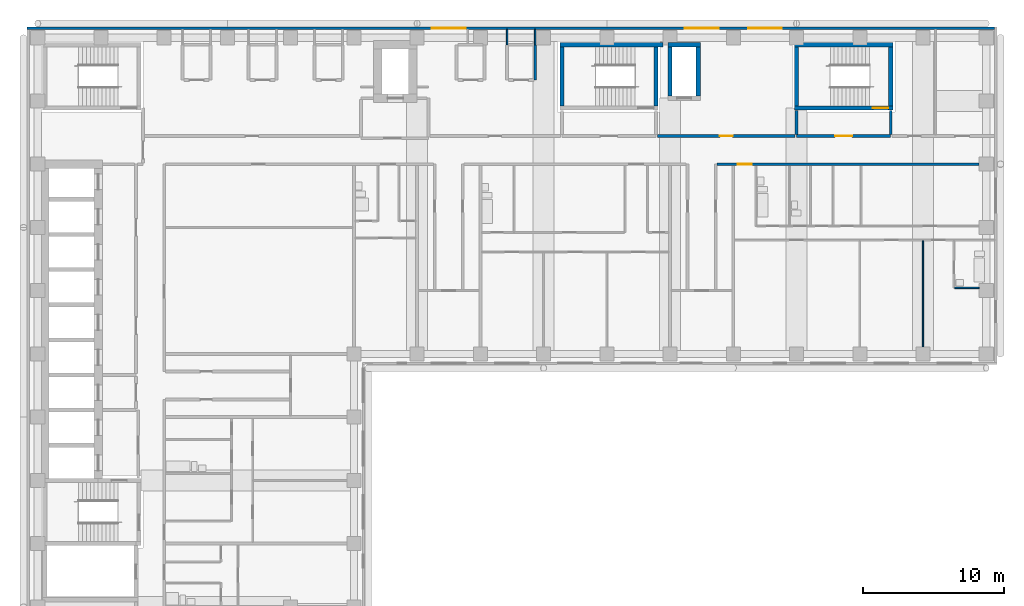
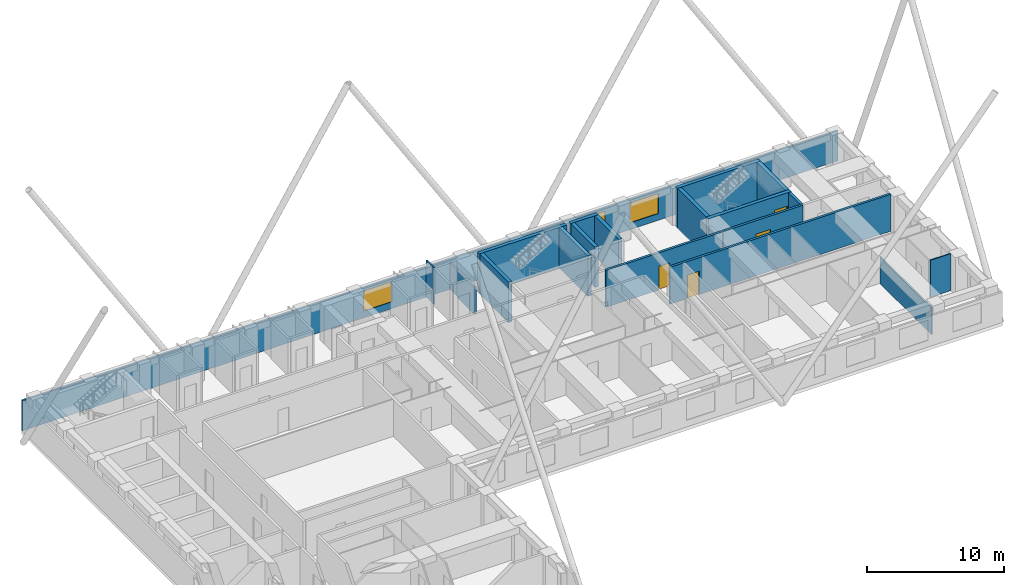
# One storey, part 9 of 13: 21 walls, 4 doors, 3 windows, 7 openings.
"""IFC4 building model written with IfcOpenShell, lengths in metres."""

from ifc_helpers import new_model, si_unit, direction, frame, frame_2d, origin, place, context, subcontext, project, spatial, rectangle, extrude, material, layer, layer_set, type_object, element, fill, save


model = new_model("IFC4")

# Units and contexts
model_context = context("Model", 3, precision=1e-05, world=origin(), true_north=direction((0.0, 1.0)))
body_context = subcontext(model_context, "Body", "Model", "MODEL_VIEW")
ifc_project = project(units=[si_unit("LENGTHUNIT", "METRE"), si_unit("AREAUNIT", "SQUARE_METRE"), si_unit("VOLUMEUNIT", "CUBIC_METRE"), si_unit("PLANEANGLEUNIT", "RADIAN"), si_unit("MASSUNIT", "GRAM", prefix="KILO")], contexts=[model_context])

# Site, building, storey
site_placement = place(None, origin())
site = spatial("IfcSite", under=ifc_project, at=site_placement, CompositionType="ELEMENT")
building_placement = place(site_placement, origin())
building = spatial("IfcBuilding", under=site, at=building_placement, Name="Firuza Court", CompositionType="ELEMENT")
storey_placement = place(building_placement, frame((0.0, 0.0, 141.199951171875)))
storey = spatial("IfcBuildingStorey", under=building, at=storey_placement, Name="L35", CompositionType="ELEMENT", Elevation=141.199951171875)

# Walls
ifc_material_1 = material(Name="Moisture-resistant gypsum board partition")
ifc_layer_1 = layer(ifc_material_1, 0.10009765625)
ifc_layer_set_1 = layer_set([ifc_layer_1], Name="Moisture-resistant gypsum board partition")
wall_type_1 = type_object("IfcWallType", Name="Bathroom partition 100", PredefinedType="PLUMBINGWALL", material=ifc_layer_set_1)
wall_1_placement = place(storey_placement, frame((65.25, 40.699951171875, 0.0), z_axis=(0.0, 0.0, 1.0), x_axis=(1.0, 0.0, 0.0)))
element("IfcWall", 1, at=wall_1_placement, inside=storey, type_object=wall_type_1, Name="Bathroom partition 100 L35", PredefinedType="PLUMBINGWALL", context=body_context, shape_type="SweptSolid", body=[
    extrude(rectangle(XDim=1.75, YDim=0.10009765625, at=frame_2d((0.875, 0.0))), origin(), (0.0, 0.0, 1.0), 3.300048828125),
])
ifc_material_2 = material(Name="Concrete C60/75", Category="concrete")
ifc_layer_2 = layer(ifc_material_2, 0.300048828125)
ifc_layer_set_2 = layer_set([ifc_layer_2], Name="Concrete C60/75")
wall_type_2 = type_object("IfcWallType", Name="Core wall 300 C60/75", PredefinedType="SHEAR", material=ifc_layer_set_2)
wall_2_placement = place(storey_placement, frame((37.14990234375, 58.0, -0.300048828125), z_axis=(0.0, 0.0, 1.0), x_axis=(1.0, 0.0, 0.0)))
element("IfcWall", 2, at=wall_2_placement, inside=storey, type_object=wall_type_2, Name="Core wall stair L35", PredefinedType="SHEAR", context=body_context, shape_type="SweptSolid", body=[
    extrude(rectangle(XDim=7.35009765625, YDim=0.300048828125, at=frame_2d((3.675048828125, 0.0))), origin(), (0.0, 0.0, 1.0), 3.60009765625),
])
for number, where, z_axis, x_axis, name in (
    (3, (37.300048828125, 53.64990234375, -0.300048828125), (0.0, 0.0, 1.0), (0.0, 1.0, 0.0), "Core wall stair L35"),
    (4, (44.0, 53.64990234375, -0.300048828125), (0.0, 0.0, 1.0), (0.0, 1.0, 0.0), "Core wall stair L35"),
):
    element("IfcWall", number, at=place(storey_placement, frame(where, z_axis=z_axis, x_axis=x_axis)), inside=storey, type_object=wall_type_2, Name=name, PredefinedType="SHEAR", context=body_context, shape_type="SweptSolid", body=[
        extrude(rectangle(XDim=4.2001953125, YDim=0.300048828125, at=frame_2d((2.10009765625, 0.0))), origin(), (0.0, 0.0, 1.0), 3.60009765625),
    ])
wall_3_placement = place(storey_placement, frame((44.85009765625, 58.0, -0.300048828125), z_axis=(0.0, 0.0, 1.0), x_axis=(1.0, 0.0, 0.0)))
element("IfcWall", 5, at=wall_3_placement, inside=storey, type_object=wall_type_2, Name="Core wall riser L35", PredefinedType="SHEAR", context=body_context, shape_type="SweptSolid", body=[
    extrude(rectangle(XDim=2.2998046875, YDim=0.300048828125, at=frame_2d((1.14990234375, 0.0))), origin(), (0.0, 0.0, 1.0), 3.60009765625),
])
for number, where, z_axis, x_axis, name in (
    (6, (45.0, 54.35009765625, -0.300048828125), (0.0, 0.0, 1.0), (0.0, 1.0, 0.0), "Core wall riser L35"),
    (7, (47.0, 54.35009765625, -0.300048828125), (0.0, 0.0, 1.0), (0.0, 1.0, 0.0), "Core wall riser L35"),
):
    element("IfcWall", number, at=place(storey_placement, frame(where, z_axis=z_axis, x_axis=x_axis)), inside=storey, type_object=wall_type_2, Name=name, PredefinedType="SHEAR", context=body_context, shape_type="SweptSolid", body=[
        extrude(rectangle(XDim=3.5, YDim=0.300048828125, at=frame_2d((1.75, 0.0))), origin(), (0.0, 0.0, 1.0), 3.60009765625),
    ])

# Wall, opening, door
wall_4_placement = place(storey_placement, frame((53.85009765625, 53.5, -0.300048828125), z_axis=(0.0, 0.0, 1.0), x_axis=(1.0, 0.0, 0.0)))
wall_4 = element("IfcWall", 8, at=wall_4_placement, inside=storey, type_object=wall_type_2, Name="Core wall stair L35", PredefinedType="SHEAR", context=body_context, shape_type="SweptSolid", body=[
    extrude(rectangle(XDim=7.0, YDim=0.300048828125, at=frame_2d((3.5, 0.0))), origin(), (0.0, 0.0, 1.0), 3.60009765625),
])
opening_1_placement = place(wall_4_placement, frame((5.580078125, 0.0, 0.300048828125)))
opening_1 = element("IfcOpeningElement", 9, at=opening_1_placement, cuts=wall_4, Name="Opening D35016", PredefinedType="OPENING", context=body_context, shape_type="SweptSolid", body=[
    extrude(rectangle(XDim=1.10009765625, YDim=2.10009765625, at=frame_2d((0.550048828125, 1.050048828125))), frame((0.0, 0.162109375, 0.0), z_axis=(0.0, -1.0, 0.0), x_axis=(1.0, 0.0, 0.0)), (0.0, 0.0, 1.0), 0.323974609375),
])
ifc_material_3 = material(Name="Timber door leaf in hardwood frame", Category="wood")
door_type_1 = type_object("IfcDoorType", Name="Stair door 1100", OperationType="SINGLE_SWING_LEFT", PredefinedType="DOOR", material=ifc_material_3)
door_1_placement = place(opening_1_placement, origin())
door_1 = element("IfcDoor", 10, at=door_1_placement, inside=storey, type_object=door_type_1, Name="Stair door S4", OperationType="SINGLE_SWING_RIGHT", OverallHeight=2.10009765625, OverallWidth=1.10009765625, PredefinedType="DOOR", context=body_context, shape_type="SweptSolid", body=[
    extrude(rectangle(XDim=1.10009765625, YDim=2.10009765625, at=frame_2d((0.550048828125, 1.050048828125))), frame((0.0, 0.02490234375, 0.0), z_axis=(0.0, -1.0, 0.0), x_axis=(1.0, 0.0, 0.0)), (0.0, 0.0, 1.0), 0.050048828125),
])
fill(opening_1, door_1)

# Walls
wall_5_placement = place(storey_placement, frame((53.85009765625, 58.0, -0.300048828125), z_axis=(0.0, 0.0, 1.0), x_axis=(1.0, 0.0, 0.0)))
element("IfcWall", 11, at=wall_5_placement, inside=storey, type_object=wall_type_2, Name="Core wall stair L35", PredefinedType="SHEAR", context=body_context, shape_type="SweptSolid", body=[
    extrude(rectangle(XDim=7.0, YDim=0.300048828125, at=frame_2d((3.5, 0.0))), origin(), (0.0, 0.0, 1.0), 3.60009765625),
])
for number, where, z_axis, x_axis, name in (
    (12, (54.0, 53.64990234375, -0.300048828125), (0.0, 0.0, 1.0), (0.0, 1.0, 0.0), "Core wall stair L35"),
    (13, (60.699951171875, 53.64990234375, -0.300048828125), (0.0, 0.0, 1.0), (0.0, 1.0, 0.0), "Core wall stair L35"),
):
    element("IfcWall", number, at=place(storey_placement, frame(where, z_axis=z_axis, x_axis=x_axis)), inside=storey, type_object=wall_type_2, Name=name, PredefinedType="SHEAR", context=body_context, shape_type="SweptSolid", body=[
        extrude(rectangle(XDim=4.2001953125, YDim=0.300048828125, at=frame_2d((2.10009765625, 0.0))), origin(), (0.0, 0.0, 1.0), 3.60009765625),
    ])

# Wall, opening, door
ifc_material_4 = material(Name="Blockwork, plastered both sides", Category="masonry")
ifc_layer_3 = layer(ifc_material_4, 0.199951171875)
ifc_layer_set_3 = layer_set([ifc_layer_3], Name="Blockwork, plastered both sides")
wall_type_3 = type_object("IfcWallType", Name="Corridor wall 200", PredefinedType="PARTITIONING", material=ifc_layer_set_3)
wall_6_placement = place(storey_placement, frame((48.35009765625, 49.5, 0.0), z_axis=(0.0, 0.0, 1.0), x_axis=(1.0, 0.0, 0.0)))
wall_6 = element("IfcWall", 14, at=wall_6_placement, inside=storey, type_object=wall_type_3, Name="Corridor wall 200 L35", PredefinedType="PARTITIONING", context=body_context, shape_type="SweptSolid", body=[
    extrude(rectangle(XDim=18.64990234375, YDim=0.199951171875, at=frame_2d((9.324951171875, 0.0))), origin(), (0.0, 0.0, 1.0), 3.300048828125),
])
opening_2_placement = place(wall_6_placement, frame((1.449951171875, 0.0, 0.0)))
opening_2 = element("IfcOpeningElement", 15, at=opening_2_placement, cuts=wall_6, Name="Opening D35066", PredefinedType="OPENING", context=body_context, shape_type="SweptSolid", body=[
    extrude(rectangle(XDim=1.0, YDim=2.10009765625, at=frame_2d((0.5, 1.050048828125))), frame((0.0, 0.11181640625, 0.0), z_axis=(0.0, -1.0, 0.0), x_axis=(1.0, 0.0, 0.0)), (0.0, 0.0, 1.0), 0.223876953125),
])
ifc_material_5 = material(Name="Timber door leaf in hardwood frame", Category="wood")
door_type_2 = type_object("IfcDoorType", Name="Flat entrance door 1000", OperationType="SINGLE_SWING_LEFT", PredefinedType="DOOR", material=ifc_material_5)
door_2_placement = place(opening_2_placement, origin())
door_2 = element("IfcDoor", 16, at=door_2_placement, inside=storey, type_object=door_type_2, Name="Flat entrance door", OperationType="SINGLE_SWING_LEFT", OverallHeight=2.10009765625, OverallWidth=1.0, PredefinedType="DOOR", context=body_context, shape_type="SweptSolid", body=[
    extrude(rectangle(XDim=1.0, YDim=2.10009765625, at=frame_2d((0.5, 1.050048828125))), frame((0.0, 0.02490234375, 0.0), z_axis=(0.0, -1.0, 0.0), x_axis=(1.0, 0.0, 0.0)), (0.0, 0.0, 1.0), 0.050048828125),
])
fill(opening_2, door_2)

wall_7_placement = place(storey_placement, frame((44.10009765625, 51.5, 0.0), z_axis=(0.0, 0.0, 1.0), x_axis=(1.0, 0.0, 0.0)))
wall_7 = element("IfcWall", 17, at=wall_7_placement, inside=storey, type_object=wall_type_3, Name="Corridor wall 200 L35", PredefinedType="PARTITIONING", context=body_context, shape_type="SweptSolid", body=[
    extrude(rectangle(XDim=9.7998046875, YDim=0.199951171875, at=frame_2d((4.89990234375, 0.0))), origin(), (0.0, 0.0, 1.0), 3.300048828125),
])
opening_3_placement = place(wall_7_placement, frame((4.449951171875, 0.0, 0.0)))
opening_3 = element("IfcOpeningElement", 18, at=opening_3_placement, cuts=wall_7, Name="Opening D35069", PredefinedType="OPENING", context=body_context, shape_type="SweptSolid", body=[
    extrude(rectangle(XDim=0.89990234375, YDim=2.10009765625, at=frame_2d((0.449951171875, 1.050048828125))), frame((0.0, 0.11181640625, 0.0), z_axis=(0.0, -1.0, 0.0), x_axis=(1.0, 0.0, 0.0)), (0.0, 0.0, 1.0), 0.223876953125),
])
ifc_material_6 = material(Name="Timber door leaf in hardwood frame", Category="wood")
door_type_3 = type_object("IfcDoorType", Name="Room door 900 EI 30", OperationType="SINGLE_SWING_LEFT", PredefinedType="DOOR", material=ifc_material_6)
door_3_placement = place(opening_3_placement, origin())
door_3 = element("IfcDoor", 19, at=door_3_placement, inside=storey, type_object=door_type_3, Name="Meeting room door", OperationType="SINGLE_SWING_LEFT", OverallHeight=2.10009765625, OverallWidth=0.89990234375, PredefinedType="DOOR", context=body_context, shape_type="SweptSolid", body=[
    extrude(rectangle(XDim=0.89990234375, YDim=2.10009765625, at=frame_2d((0.449951171875, 1.050048828125))), frame((0.0, 0.02490234375, 0.0), z_axis=(0.0, -1.0, 0.0), x_axis=(1.0, 0.0, 0.0)), (0.0, 0.0, 1.0), 0.050048828125),
])
fill(opening_3, door_3)

# Walls
ifc_material_7 = material(Name="Timber stud partition, plasterboard both sides", Category="wood")
ifc_layer_4 = layer(ifc_material_7, 0.10009765625)
ifc_layer_set_4 = layer_set([ifc_layer_4], Name="Timber stud partition, plasterboard both sides")
wall_type_4 = type_object("IfcWallType", Name="Partition wall 100", PredefinedType="PARTITIONING", material=ifc_layer_set_4)
wall_8_placement = place(storey_placement, frame((63.0, 36.5, 0.0), z_axis=(0.0, 0.0, 1.0), x_axis=(0.0, 1.0, 0.0)))
element("IfcWall", 20, at=wall_8_placement, inside=storey, type_object=wall_type_4, Name="Partition wall 100 L35", PredefinedType="PARTITIONING", context=body_context, shape_type="SweptSolid", body=[
    extrude(rectangle(XDim=7.550048828125, YDim=0.10009765625, at=frame_2d((3.77490234375, 0.0))), origin(), (0.0, 0.0, 1.0), 2.400146484375),
])
wall_9_placement = place(storey_placement, frame((33.39990234375, 58.0, 0.0), z_axis=(0.0, 0.0, 1.0), x_axis=(0.0, 1.0, 0.0)))
element("IfcWall", 21, at=wall_9_placement, inside=storey, type_object=wall_type_4, Name="Partition wall 100 L35", PredefinedType="PARTITIONING", context=body_context, shape_type="SweptSolid", body=[
    extrude(rectangle(XDim=1.10009765625, YDim=0.10009765625, at=frame_2d((0.550048828125, 0.0))), origin(), (0.0, 0.0, 1.0), 3.300048828125),
])
wall_10_placement = place(storey_placement, frame((35.39990234375, 58.0, 0.0), z_axis=(0.0, 0.0, 1.0), x_axis=(0.0, 1.0, 0.0)))
element("IfcWall", 22, at=wall_10_placement, inside=storey, type_object=wall_type_4, Name="Partition wall 100 L35", PredefinedType="PARTITIONING", context=body_context, shape_type="SweptSolid", body=[
    extrude(rectangle(XDim=1.10009765625, YDim=0.10009765625, at=frame_2d((0.550048828125, 0.0))), origin(), (0.0, 0.0, 1.0), 2.400146484375),
])
ifc_material_8 = material(Name="Blockwork, fire-rated", Category="masonry")
ifc_layer_5 = layer(ifc_material_8, 0.199951171875)
ifc_layer_set_5 = layer_set([ifc_layer_5], Name="Blockwork, fire-rated")
wall_type_5 = type_object("IfcWallType", Name="Plant room wall 200", PredefinedType="PARTITIONING", material=ifc_layer_set_5)
wall_11_placement = place(storey_placement, frame((35.39990234375, 55.5, 0.0), z_axis=(0.0, 0.0, 1.0), x_axis=(0.0, 1.0, 0.0)))
element("IfcWall", 23, at=wall_11_placement, inside=storey, type_object=wall_type_5, Name="Plant room wall 200 L35", PredefinedType="PARTITIONING", context=body_context, shape_type="SweptSolid", body=[
    extrude(rectangle(XDim=2.5, YDim=0.199951171875, at=frame_2d((1.25, 0.0))), origin(), (0.0, 0.0, 1.0), 2.400146484375),
])

# Wall, openings, windows
ifc_material_9 = material(Name="Ceramic tile", Category="ceramic")
ifc_layer_6 = layer(ifc_material_9, 0.02001953125)
ifc_material_10 = material(Name="Mineral wool insulation", Category="insulation")
ifc_layer_7 = layer(ifc_material_10, 0.050048828125)
ifc_material_11 = material(Name="Concrete C40/50 precast", Category="concrete")
ifc_layer_8 = layer(ifc_material_11, 0.080078125)
ifc_layer_set_6 = layer_set([ifc_layer_6, ifc_layer_7, ifc_layer_8], Name="Concrete C40/50 precast")
wall_type_6 = type_object("IfcWallType", Name="Precast cladding wall with turquoise TILE PANEL face 150", PredefinedType="STANDARD", material=ifc_layer_set_6)
wall_12_placement = place(storey_placement, frame((68.10009765625, 59.175048828125, 0.0), z_axis=(0.0, 0.0, 1.0), x_axis=(-1.0, 0.0, 0.0)))
wall_12 = element("IfcWall", 24, at=wall_12_placement, inside=storey, type_object=wall_type_6, Name="Facade wall L35 N", PredefinedType="STANDARD", context=body_context, shape_type="SweptSolid", body=[
    extrude(rectangle(XDim=68.85009765625, YDim=0.14990234375, at=frame_2d((34.425048828125, 0.0))), origin(), (0.0, 0.0, 1.0), 2.699951171875),
])
opening_4_placement = place(wall_12_placement, frame((15.14990234375, 0.0, 0.60009765625)))
opening_4 = element("IfcOpeningElement", 25, at=opening_4_placement, cuts=wall_12, Name="Opening W1", PredefinedType="OPENING", context=body_context, shape_type="SweptSolid", body=[
    extrude(rectangle(XDim=2.39990234375, YDim=1.800048828125, at=frame_2d((1.199951171875, 0.89990234375))), frame((0.0, 0.0869140625, 0.0), z_axis=(0.0, -1.0, 0.0), x_axis=(1.0, 0.0, 0.0)), (0.0, 0.0, 1.0), 0.173828125),
])
opening_5_placement = place(wall_12_placement, frame((19.64990234375, 0.0, 0.60009765625)))
opening_5 = element("IfcOpeningElement", 26, at=opening_5_placement, cuts=wall_12, Name="Opening W1", PredefinedType="OPENING", context=body_context, shape_type="SweptSolid", body=[
    extrude(rectangle(XDim=2.39990234375, YDim=1.800048828125, at=frame_2d((1.199951171875, 0.89990234375))), frame((0.0, 0.0869140625, 0.0), z_axis=(0.0, -1.0, 0.0), x_axis=(1.0, 0.0, 0.0)), (0.0, 0.0, 1.0), 0.173828125),
])
opening_6_placement = place(wall_12_placement, frame((37.64990234375, 0.0, 0.60009765625)))
opening_6 = element("IfcOpeningElement", 27, at=opening_6_placement, cuts=wall_12, Name="Opening W1", PredefinedType="OPENING", context=body_context, shape_type="SweptSolid", body=[
    extrude(rectangle(XDim=2.39990234375, YDim=1.800048828125, at=frame_2d((1.199951171875, 0.89990234375))), frame((0.0, 0.0869140625, 0.0), z_axis=(0.0, -1.0, 0.0), x_axis=(1.0, 0.0, 0.0)), (0.0, 0.0, 1.0), 0.173828125),
])
ifc_material_12 = material(Name="Aluminium frame, triple clear glazing", Category="aluminium")
window_type = type_object("IfcWindowType", Name="Window W1 2400 x 1800", PartitioningType="SINGLE_PANEL", PredefinedType="WINDOW", material=ifc_material_12)
window_1_placement = place(opening_4_placement, origin())
window_1 = element("IfcWindow", 28, at=window_1_placement, inside=storey, type_object=window_type, Name="Window L35", OverallHeight=1.800048828125, OverallWidth=2.39990234375, PartitioningType="SINGLE_PANEL", PredefinedType="WINDOW", context=body_context, shape_type="SweptSolid", body=[
    extrude(rectangle(XDim=2.39990234375, YDim=1.800048828125, at=frame_2d((1.199951171875, 0.89990234375))), frame((0.0, 0.030029296875, 0.0), z_axis=(0.0, -1.0, 0.0), x_axis=(1.0, 0.0, 0.0)), (0.0, 0.0, 1.0), 0.06005859375),
])
fill(opening_4, window_1)
window_2_placement = place(opening_5_placement, origin())
window_2 = element("IfcWindow", 29, at=window_2_placement, inside=storey, type_object=window_type, Name="Window L35", OverallHeight=1.800048828125, OverallWidth=2.39990234375, PartitioningType="SINGLE_PANEL", PredefinedType="WINDOW", context=body_context, shape_type="SweptSolid", body=[
    extrude(rectangle(XDim=2.39990234375, YDim=1.800048828125, at=frame_2d((1.199951171875, 0.89990234375))), frame((0.0, 0.030029296875, 0.0), z_axis=(0.0, -1.0, 0.0), x_axis=(1.0, 0.0, 0.0)), (0.0, 0.0, 1.0), 0.06005859375),
])
fill(opening_5, window_2)
window_3_placement = place(opening_6_placement, origin())
window_3 = element("IfcWindow", 30, at=window_3_placement, inside=storey, type_object=window_type, Name="Window L35", OverallHeight=1.800048828125, OverallWidth=2.39990234375, PartitioningType="SINGLE_PANEL", PredefinedType="WINDOW", context=body_context, shape_type="SweptSolid", body=[
    extrude(rectangle(XDim=2.39990234375, YDim=1.800048828125, at=frame_2d((1.199951171875, 0.89990234375))), frame((0.0, 0.030029296875, 0.0), z_axis=(0.0, -1.0, 0.0), x_axis=(1.0, 0.0, 0.0)), (0.0, 0.0, 1.0), 0.06005859375),
])
fill(opening_6, window_3)

# Wall, opening, door
ifc_layer_9 = layer(ifc_material_8, 0.199951171875)
ifc_layer_set_7 = layer_set([ifc_layer_9], Name="Blockwork, fire-rated")
wall_type_7 = type_object("IfcWallType", Name="Shaft wall 200", PredefinedType="PARTITIONING", material=ifc_layer_set_7)
wall_13_placement = place(storey_placement, frame((54.0, 51.5, 0.0), z_axis=(0.0, 0.0, 1.0), x_axis=(1.0, 0.0, 0.0)))
wall_13 = element("IfcWall", 31, at=wall_13_placement, inside=storey, type_object=wall_type_7, Name="Shaft wall 200 L35", PredefinedType="PARTITIONING", context=body_context, shape_type="SweptSolid", body=[
    extrude(rectangle(XDim=6.699951171875, YDim=0.199951171875, at=frame_2d((3.35009765625, 0.0))), origin(), (0.0, 0.0, 1.0), 3.300048828125),
])
opening_7_placement = place(wall_13_placement, frame((2.75, 0.0, 0.0)))
opening_7 = element("IfcOpeningElement", 32, at=opening_7_placement, cuts=wall_13, Name="Opening D35007", PredefinedType="OPENING", context=body_context, shape_type="SweptSolid", body=[
    extrude(rectangle(XDim=1.199951171875, YDim=2.10009765625, at=frame_2d((0.60009765625, 1.050048828125))), frame((0.0, 0.11181640625, 0.0), z_axis=(0.0, -1.0, 0.0), x_axis=(1.0, 0.0, 0.0)), (0.0, 0.0, 1.0), 0.223876953125),
])
ifc_material_13 = material(Name="Timber door leaf in hardwood frame", Category="wood")
door_type_4 = type_object("IfcDoorType", Name="Lobby door 1200", OperationType="SINGLE_SWING_LEFT", PredefinedType="DOOR", material=ifc_material_13)
door_4_placement = place(opening_7_placement, origin())
door_4 = element("IfcDoor", 33, at=door_4_placement, inside=storey, type_object=door_type_4, Name="Lobby door", OperationType="SINGLE_SWING_LEFT", OverallHeight=2.10009765625, OverallWidth=1.199951171875, PredefinedType="DOOR", context=body_context, shape_type="SweptSolid", body=[
    extrude(rectangle(XDim=1.199951171875, YDim=2.10009765625, at=frame_2d((0.60009765625, 1.050048828125))), frame((0.0, 0.02490234375, 0.0), z_axis=(0.0, -1.0, 0.0), x_axis=(1.0, 0.0, 0.0)), (0.0, 0.0, 1.0), 0.050048828125),
])
fill(opening_7, door_4)

# Walls
wall_14_placement = place(storey_placement, frame((60.699951171875, 51.60009765625, 0.0), z_axis=(0.0, 0.0, 1.0), x_axis=(0.0, 1.0, 0.0)))
element("IfcWall", 34, at=wall_14_placement, inside=storey, type_object=wall_type_7, Name="Shaft wall 200 L35", PredefinedType="PARTITIONING", context=body_context, shape_type="SweptSolid", body=[
    extrude(rectangle(XDim=1.72998046875, YDim=0.199951171875, at=frame_2d((0.864990234375, 0.0))), origin(), (0.0, 0.0, 1.0), 3.300048828125),
])
wall_15_placement = place(storey_placement, frame((54.0, 51.60009765625, 0.0), z_axis=(0.0, 0.0, 1.0), x_axis=(0.0, 1.0, 0.0)))
element("IfcWall", 35, at=wall_15_placement, inside=storey, type_object=wall_type_7, Name="Shaft wall 200 L35", PredefinedType="PARTITIONING", context=body_context, shape_type="SweptSolid", body=[
    extrude(rectangle(XDim=1.72998046875, YDim=0.199951171875, at=frame_2d((0.864990234375, 0.0))), origin(), (0.0, 0.0, 1.0), 2.60009765625),
])

save(model, "model.ifc")
